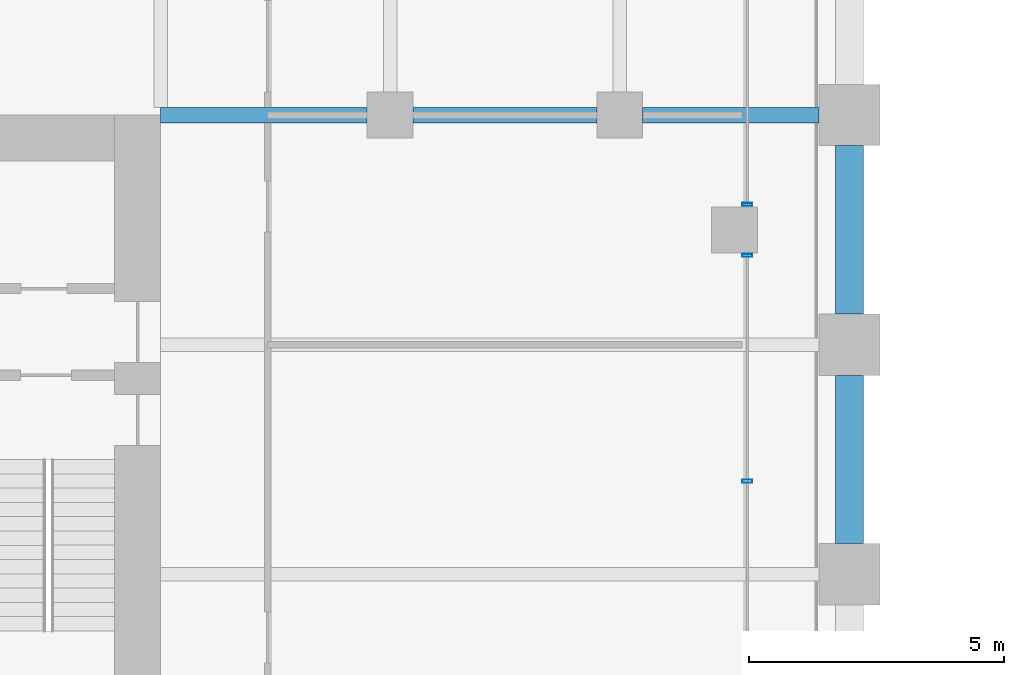
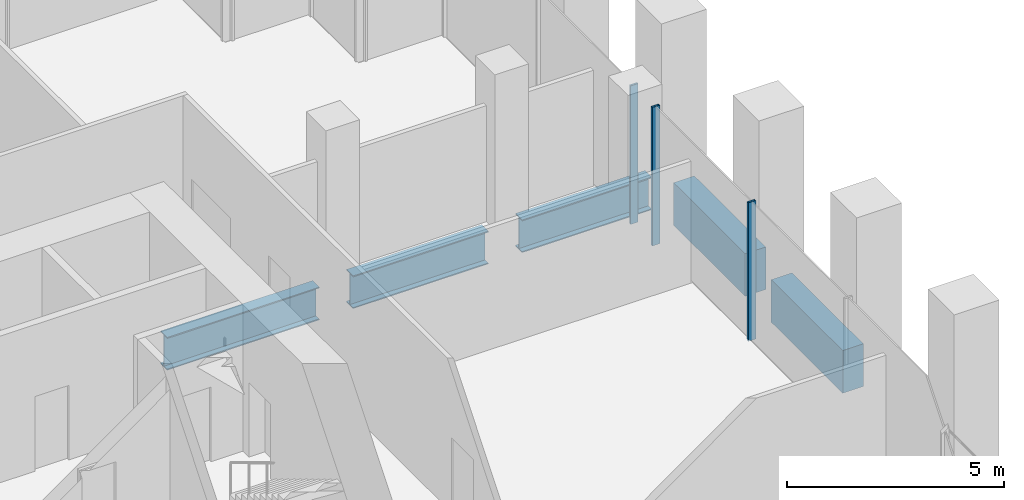
# One storey, part 12 of 36: 5 beams, 3 members, 2 elements without a shape of their own.
"""IFC4 building model written with IfcOpenShell, lengths in metres."""

from ifc_helpers import new_model, si_unit, direction, frame, origin, origin_2d, place, context, subcontext, project, spatial, rectangle, hollow_rectangle, i_section, extrude, material, material_profile, profile_set, type_object, element, aggregate, save


model = new_model("IFC4")

# Units and contexts
model_context = context("Model", 3, precision=1e-05, world=origin(), true_north=direction((0.0, 1.0)))
body_context = subcontext(model_context, "Body", "Model", "MODEL_VIEW")
ifc_project = project(units=[si_unit("LENGTHUNIT", "METRE"), si_unit("AREAUNIT", "SQUARE_METRE"), si_unit("VOLUMEUNIT", "CUBIC_METRE"), si_unit("PLANEANGLEUNIT", "RADIAN"), si_unit("MASSUNIT", "GRAM", prefix="KILO")], contexts=[model_context])

# Site, building, storey
site_placement = place(None, origin())
site = spatial("IfcSite", under=ifc_project, at=site_placement, CompositionType="ELEMENT")
building_placement = place(site_placement, origin())
building = spatial("IfcBuilding", under=site, at=building_placement, Name="Altepetl Exchange Towers", CompositionType="ELEMENT")
storey_placement = place(building_placement, frame((0.0, 0.0, 29.800048828125)))
storey = spatial("IfcBuildingStorey", under=building, at=storey_placement, Name="L06", CompositionType="ELEMENT", Elevation=29.800048828125)

# Beams
ifc_material_1 = material(Name="Steel S355", Category="steel")
ifc_material_profile_1 = material_profile(ifc_material_1, i_section(OverallWidth=0.306884765625, OverallDepth=0.923095703125, WebThickness=0.018310546875, FlangeThickness=0.030029296875, at=origin_2d()), Name="W36X182")
ifc_profile_set_1 = profile_set([ifc_material_profile_1], Name="Steel S355")
beam_type_1 = type_object("IfcBeamType", Name="Girder W36X182", PredefinedType="BEAM", material=ifc_profile_set_1)
beam_1_placement = place(storey_placement, frame((58.5, 58.5, -0.636474609375), z_axis=(1.0, 0.0, 0.0), x_axis=(0.0, 1.0, 0.0)))
element("IfcBeam", 1, at=beam_1_placement, inside=storey, type_object=beam_type_1, Name="gd:A:L06:000", PredefinedType="BEAM", context=body_context, shape_type="SweptSolid", body=[
    extrude(i_section(OverallWidth=0.306884765625, OverallDepth=0.923095703125, WebThickness=0.018310546875, FlangeThickness=0.030029296875, at=origin_2d()), origin(), (0.0, 0.0, 1.0), 4.050048828125),
])
beam_2_placement = place(storey_placement, frame((63.449951171875, 58.5, -0.636474609375), z_axis=(1.0, 0.0, 0.0), x_axis=(0.0, 1.0, 0.0)))
element("IfcBeam", 2, at=beam_2_placement, inside=storey, type_object=beam_type_1, Name="gd:A:L06:001", PredefinedType="BEAM", context=body_context, shape_type="SweptSolid", body=[
    extrude(i_section(OverallWidth=0.306884765625, OverallDepth=0.923095703125, WebThickness=0.018310546875, FlangeThickness=0.030029296875, at=origin_2d()), origin(), (0.0, 0.0, 1.0), 3.60009765625),
])
beam_3_placement = place(storey_placement, frame((67.949951171875, 58.5, -0.636474609375), z_axis=(1.0, 0.0, 0.0), x_axis=(0.0, 1.0, 0.0)))
element("IfcBeam", 3, at=beam_3_placement, inside=storey, type_object=beam_type_1, Name="gd:A:L06:002", PredefinedType="BEAM", context=body_context, shape_type="SweptSolid", body=[
    extrude(i_section(OverallWidth=0.306884765625, OverallDepth=0.923095703125, WebThickness=0.018310546875, FlangeThickness=0.030029296875, at=origin_2d()), origin(), (0.0, 0.0, 1.0), 3.449951171875),
])

# Curtain wall, members
ifc_material_2 = material(Name="Aluminium 6063-T6 glazing", Category="aluminium")
curtain_wall_type = type_object("IfcCurtainWallType", Name="Trading floor glazing system", PredefinedType="NOTDEFINED", material=ifc_material_2)
curtain_wall_1_placement = place(storey_placement, origin())
curtain_wall_1 = element("IfcCurtainWall", 4, at=curtain_wall_1_placement, inside=storey, type_object=curtain_wall_type, Name="CW2 run", PredefinedType="NOTDEFINED")
ifc_material_3 = material(Name="Aluminium 6063-T6", Category="aluminium")
ifc_material_profile_2 = material_profile(ifc_material_3, hollow_rectangle(XDim=0.06005859375, YDim=0.199951171875, WallThickness=0.0029296875, at=origin_2d()), Name="Mullion 60x200 aluminium")
ifc_profile_set_2 = profile_set([ifc_material_profile_2], Name="Aluminium 6063-T6")
member_type = type_object("IfcMemberType", Name="Mullion 60x200 aluminium", PredefinedType="MULLION", material=ifc_profile_set_2)
member_1_placement = place(storey_placement, frame((70.0, 51.323974609375, 0.0), z_axis=(0.0, 0.0, 1.0), x_axis=(0.0, 1.0, 0.0)))
member_1 = element("IfcMember", 5, at=member_1_placement, type_object=member_type, Name="MU2 mullion", PredefinedType="MULLION", context=body_context, shape_type="SweptSolid", body=[
    extrude(hollow_rectangle(XDim=0.06005859375, YDim=0.199951171875, WallThickness=0.0029296875, at=origin_2d()), origin(), (0.0, 0.0, 1.0), 3.89990234375),
])
member_2_placement = place(storey_placement, frame((70.0, 55.75, 0.0), z_axis=(0.0, 0.0, 1.0), x_axis=(0.0, 1.0, 0.0)))
member_2 = element("IfcMember", 6, at=member_2_placement, type_object=member_type, Name="MU2 mullion", PredefinedType="MULLION", context=body_context, shape_type="SweptSolid", body=[
    extrude(hollow_rectangle(XDim=0.06005859375, YDim=0.199951171875, WallThickness=0.0029296875, at=origin_2d()), origin(), (0.0, 0.0, 1.0), 3.89990234375),
])
aggregate(curtain_wall_1, [member_1, member_2])

# Curtain wall, member
curtain_wall_2_placement = place(storey_placement, origin())
curtain_wall_2 = element("IfcCurtainWall", 7, at=curtain_wall_2_placement, inside=storey, type_object=curtain_wall_type, Name="CW2 run", PredefinedType="NOTDEFINED")
member_3_placement = place(storey_placement, frame((70.0, 56.75, 0.0), z_axis=(0.0, 0.0, 1.0), x_axis=(0.0, 1.0, 0.0)))
member_3 = element("IfcMember", 8, at=member_3_placement, type_object=member_type, Name="MU2 mullion", PredefinedType="MULLION", context=body_context, shape_type="SweptSolid", body=[
    extrude(hollow_rectangle(XDim=0.06005859375, YDim=0.199951171875, WallThickness=0.0029296875, at=origin_2d()), origin(), (0.0, 0.0, 1.0), 3.89990234375),
])
aggregate(curtain_wall_2, [member_3])

# Beams
ifc_material_4 = material(Name="Concrete C50/60 precast with cantera amarilla facing", Category="concrete")
ifc_material_profile_3 = material_profile(ifc_material_4, rectangle(XDim=0.550048828125, YDim=1.199951171875, at=origin_2d()), Name="550 x 1200")
ifc_profile_set_3 = profile_set([ifc_material_profile_3], Name="Concrete C50/60 precast with cantera amarilla facing")
beam_type_2 = type_object("IfcBeamType", Name="Spandrel beam 550x1200 cantera amarilla", PredefinedType="SPANDREL", material=ifc_profile_set_3)
for number, where, z_axis, x_axis, name in (
    (9, (72.0, 50.10009765625, -0.775146484375), (0.0, 1.0, 0.0), (-1.0, 0.0, 0.0), "sp:A:L06:016"),
    (10, (72.0, 54.60009765625, -0.775146484375), (0.0, 1.0, 0.0), (-1.0, 0.0, 0.0), "sp:A:L06:017"),
):
    element("IfcBeam", number, at=place(storey_placement, frame(where, z_axis=z_axis, x_axis=x_axis)), inside=storey, type_object=beam_type_2, Name=name, PredefinedType="SPANDREL", context=body_context, shape_type="SweptSolid", body=[
        extrude(rectangle(XDim=0.550048828125, YDim=1.199951171875, at=origin_2d()), origin(), (0.0, 0.0, 1.0), 3.2998046875),
    ])

save(model, "model.ifc")
